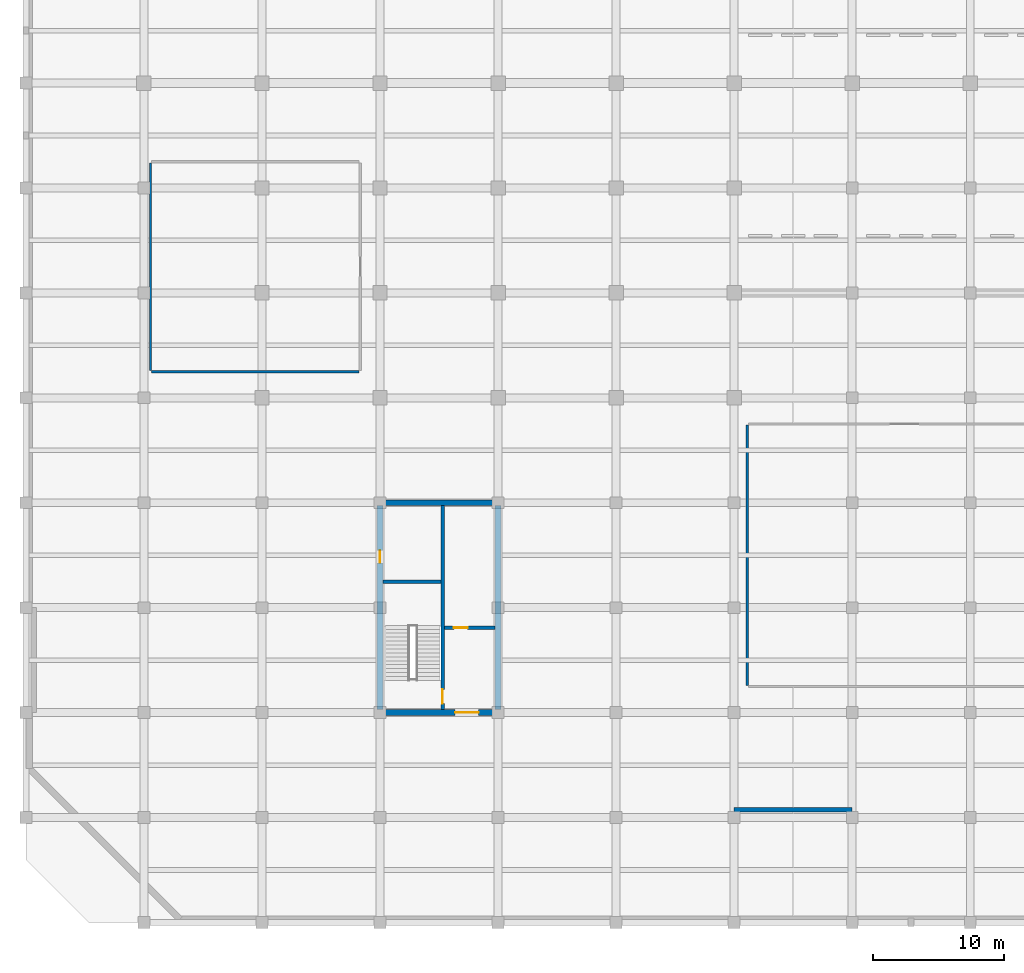
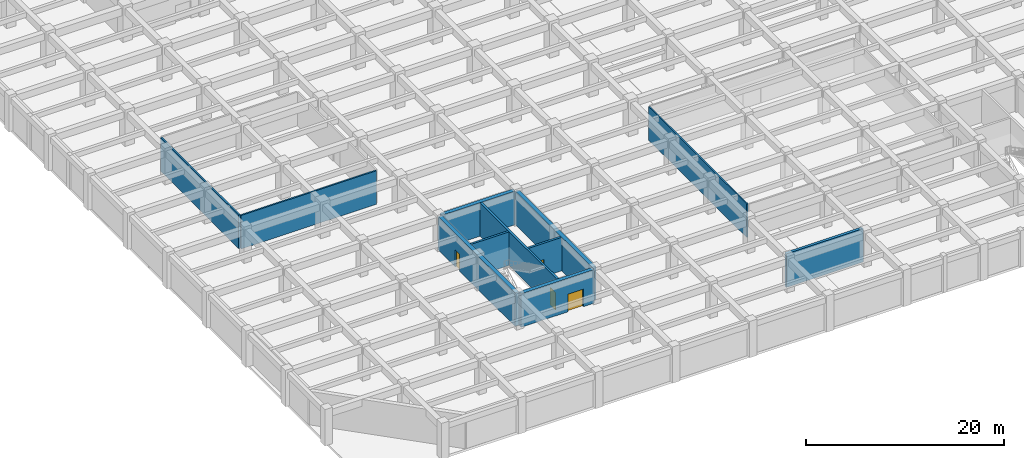
# One storey, part 9 of 26: 11 walls, 4 doors, 4 openings.
"""IFC4 building model written with IfcOpenShell, lengths in metres."""

from ifc_helpers import new_model, si_unit, direction, frame, frame_2d, origin, place, context, subcontext, project, spatial, rectangle, extrude, material, layer, layer_set, type_object, element, fill, save


model = new_model("IFC4")

# Units and contexts
model_context = context("Model", 3, precision=1e-05, world=origin(), true_north=direction((0.0, 1.0)))
body_context = subcontext(model_context, "Body", "Model", "MODEL_VIEW")
ifc_project = project(units=[si_unit("LENGTHUNIT", "METRE"), si_unit("AREAUNIT", "SQUARE_METRE"), si_unit("VOLUMEUNIT", "CUBIC_METRE"), si_unit("PLANEANGLEUNIT", "RADIAN"), si_unit("MASSUNIT", "GRAM", prefix="KILO")], contexts=[model_context])

# Site, building, storey
site_placement = place(None, origin())
site = spatial("IfcSite", under=ifc_project, at=site_placement, CompositionType="ELEMENT")
building_placement = place(site_placement, origin())
building = spatial("IfcBuilding", under=site, at=building_placement, Name="Zaverband Oceanarium and Marine Research Institute", CompositionType="ELEMENT")
storey_placement = place(building_placement, frame((0.0, 0.0, -4.5)))
storey = spatial("IfcBuildingStorey", under=building, at=storey_placement, Name="B1", CompositionType="ELEMENT", Elevation=-4.5)

# Wall, opening, door
ifc_material_1 = material(Name="Concrete C50/60", Category="concrete")
ifc_layer_1 = layer(ifc_material_1, 0.449951171875, Name="Concrete C50/60")
ifc_layer_set_1 = layer_set([ifc_layer_1], Name="Concrete C50/60")
wall_type_1 = type_object("IfcWallType", Name="CW-02", PredefinedType="SHEAR", material=ifc_layer_set_1)
wall_1_placement = place(storey_placement, frame((27.22509765625, 16.0, 0.0), z_axis=(0.0, 0.0, 1.0), x_axis=(1.0, 0.0, 0.0)))
wall_1 = element("IfcWall", 1, at=wall_1_placement, inside=storey, type_object=wall_type_1, Name="Structural shear wall CW-02", PredefinedType="SHEAR", context=body_context, shape_type="SweptSolid", body=[
    extrude(rectangle(XDim=8.5498046875, YDim=0.449951171875, at=frame_2d((4.27490234375, 0.0))), origin(), (0.0, 0.0, 1.0), 4.14990234375),
])
opening_1_placement = place(wall_1_placement, frame((5.5, 0.0, 0.0)))
opening_1 = element("IfcOpeningElement", 2, at=opening_1_placement, cuts=wall_1, Name="Opening FD-02", PredefinedType="OPENING", context=body_context, shape_type="SweptSolid", body=[
    extrude(rectangle(XDim=1.800048828125, YDim=2.179931640625, at=frame_2d((0.89990234375, 1.08984375))), frame((0.0, 0.23681640625, 0.0), z_axis=(0.0, -1.0, 0.0), x_axis=(1.0, 0.0, 0.0)), (0.0, 0.0, 1.0), 0.473876953125),
])
ifc_material_2 = material(Name="Steel S355", Category="steel")
door_type_1 = type_object("IfcDoorType", Name="FD-02", OperationType="DOUBLE_DOOR_SINGLE_SWING", PredefinedType="DOOR", material=ifc_material_2)
door_1_placement = place(opening_1_placement, origin())
door_1 = element("IfcDoor", 3, at=door_1_placement, inside=storey, type_object=door_type_1, Name="Protected lobby double fire door FD-02", OperationType="DOUBLE_DOOR_SINGLE_SWING", OverallHeight=2.179931640625, OverallWidth=1.800048828125, PredefinedType="DOOR", context=body_context, shape_type="SweptSolid", body=[
    extrude(rectangle(XDim=1.800048828125, YDim=2.179931640625, at=frame_2d((0.89990234375, 1.08984375))), frame((0.0, 0.02490234375, 0.0), z_axis=(0.0, -1.0, 0.0), x_axis=(1.0, 0.0, 0.0)), (0.0, 0.0, 1.0), 0.050048828125),
])
fill(opening_1, door_1)

# Wall
wall_2_placement = place(storey_placement, frame((27.22509765625, 32.0, 0.0), z_axis=(0.0, 0.0, 1.0), x_axis=(1.0, 0.0, 0.0)))
element("IfcWall", 4, at=wall_2_placement, inside=storey, type_object=wall_type_1, Name="Structural shear wall CW-02", PredefinedType="SHEAR", context=body_context, shape_type="SweptSolid", body=[
    extrude(rectangle(XDim=8.5498046875, YDim=0.449951171875, at=frame_2d((4.27490234375, 0.0))), origin(), (0.0, 0.0, 1.0), 4.14990234375),
])

# Wall, opening, door
wall_3_placement = place(storey_placement, frame((27.0, 16.22509765625, 0.0), z_axis=(0.0, 0.0, 1.0), x_axis=(0.0, 1.0, 0.0)))
wall_3 = element("IfcWall", 5, at=wall_3_placement, inside=storey, type_object=wall_type_1, Name="Structural shear wall CW-02", PredefinedType="SHEAR", context=body_context, shape_type="SweptSolid", body=[
    extrude(rectangle(XDim=15.5498046875, YDim=0.449951171875, at=frame_2d((7.77490234375, 0.0))), origin(), (0.0, 0.0, 1.0), 4.14990234375),
])
opening_2_placement = place(wall_3_placement, frame((11.199951171875, 0.0, 0.0)))
opening_2 = element("IfcOpeningElement", 6, at=opening_2_placement, cuts=wall_3, Name="Opening FD-03", PredefinedType="OPENING", context=body_context, shape_type="SweptSolid", body=[
    extrude(rectangle(XDim=0.949951171875, YDim=2.10009765625, at=frame_2d((0.47509765625, 1.050048828125))), frame((0.0, 0.23681640625, 0.0), z_axis=(0.0, -1.0, 0.0), x_axis=(1.0, 0.0, 0.0)), (0.0, 0.0, 1.0), 0.473876953125),
])
door_type_2 = type_object("IfcDoorType", Name="FD-03", OperationType="NOTDEFINED", PredefinedType="DOOR", material=ifc_material_2)
door_2_placement = place(opening_2_placement, origin())
door_2 = element("IfcDoor", 7, at=door_2_placement, inside=storey, type_object=door_type_2, Name="Service riser access fire door FD-03", OperationType="SINGLE_SWING_RIGHT", OverallHeight=2.10009765625, OverallWidth=0.949951171875, PredefinedType="DOOR", context=body_context, shape_type="SweptSolid", body=[
    extrude(rectangle(XDim=0.949951171875, YDim=2.10009765625, at=frame_2d((0.47509765625, 1.050048828125))), frame((0.0, 0.02490234375, 0.0), z_axis=(0.0, -1.0, 0.0), x_axis=(1.0, 0.0, 0.0)), (0.0, 0.0, 1.0), 0.050048828125),
])
fill(opening_2, door_2)

# Walls
wall_4_placement = place(storey_placement, frame((36.0, 16.22509765625, 0.0), z_axis=(0.0, 0.0, 1.0), x_axis=(0.0, 1.0, 0.0)))
element("IfcWall", 8, at=wall_4_placement, inside=storey, type_object=wall_type_1, Name="Structural shear wall CW-02", PredefinedType="SHEAR", context=body_context, shape_type="SweptSolid", body=[
    extrude(rectangle(XDim=15.5498046875, YDim=0.449951171875, at=frame_2d((7.77490234375, 0.0))), origin(), (0.0, 0.0, 1.0), 4.14990234375),
])
ifc_material_3 = material(Name="Corridor rated drywall partition")
ifc_layer_2 = layer(ifc_material_3, 0.1650390625, Name="Corridor rated drywall partition")
ifc_layer_set_2 = layer_set([ifc_layer_2], Name="Corridor rated drywall partition")
wall_type_2 = type_object("IfcWallType", Name="PT-165-CR", PredefinedType="PARTITIONING", material=ifc_layer_set_2)
wall_5_placement = place(storey_placement, frame((55.0, 18.08251953125, 0.0), z_axis=(0.0, 0.0, 1.0), x_axis=(0.0, 1.0, 0.0)))
element("IfcWall", 9, at=wall_5_placement, inside=storey, type_object=wall_type_2, Name="Internal partition PT-165-CR", PredefinedType="PARTITIONING", context=body_context, shape_type="SweptSolid", body=[
    extrude(rectangle(XDim=19.8349609375, YDim=0.1650390625, at=frame_2d((9.91748046875, 0.0))), origin(), (0.0, 0.0, 1.0), 4.14990234375),
])
ifc_material_4 = material(Name="Moisture-resistant laboratory blockwork", Category="masonry")
ifc_layer_3 = layer(ifc_material_4, 0.179931640625, Name="Moisture-resistant laboratory blockwork")
ifc_layer_set_3 = layer_set([ifc_layer_3], Name="Moisture-resistant laboratory blockwork")
wall_type_3 = type_object("IfcWallType", Name="PT-180-LB", PredefinedType="PARTITIONING", material=ifc_layer_set_3)
for number, where, z_axis, x_axis, name in (
    (10, (9.590087890625, 42.0, 0.0), (0.0, 0.0, 1.0), (1.0, 0.0, 0.0), "Internal partition PT-180-LB"),
    (11, (9.5, 42.090087890625, 0.0), (0.0, 0.0, 1.0), (0.0, 1.0, 0.0), "Internal partition PT-180-LB"),
):
    element("IfcWall", number, at=place(storey_placement, frame(where, z_axis=z_axis, x_axis=x_axis)), inside=storey, type_object=wall_type_3, Name=name, PredefinedType="PARTITIONING", context=body_context, shape_type="SweptSolid", body=[
        extrude(rectangle(XDim=15.81982421875, YDim=0.179931640625, at=frame_2d((7.909912109375, 0.0))), origin(), (0.0, 0.0, 1.0), 4.14990234375),
    ])

# Wall, opening, door
ifc_layer_4 = layer(ifc_material_1, 0.25, Name="Concrete C50/60")
ifc_layer_set_4 = layer_set([ifc_layer_4], Name="Concrete C50/60")
wall_type_4 = type_object("IfcWallType", Name="PW-CORE-250", PredefinedType="SOLIDWALL", material=ifc_layer_set_4)
wall_6_placement = place(storey_placement, frame((31.77490234375, 16.22509765625, 0.0), z_axis=(0.0, 0.0, 1.0), x_axis=(0.0, 1.0, 0.0)))
wall_6 = element("IfcWall", 12, at=wall_6_placement, inside=storey, type_object=wall_type_4, Name="Structural concrete wall PW-CORE-250", PredefinedType="SOLIDWALL", context=body_context, shape_type="SweptSolid", body=[
    extrude(rectangle(XDim=15.5498046875, YDim=0.25, at=frame_2d((7.77490234375, 0.0))), origin(), (0.0, 0.0, 1.0), 4.14990234375),
])
opening_3_placement = place(wall_6_placement, frame((0.449951171875, 0.0, 0.0)))
opening_3 = element("IfcOpeningElement", 13, at=opening_3_placement, cuts=wall_6, Name="Opening FD-01", PredefinedType="OPENING", context=body_context, shape_type="SweptSolid", body=[
    extrude(rectangle(XDim=1.10009765625, YDim=2.14990234375, at=frame_2d((0.550048828125, 1.074951171875))), frame((0.0, 0.136962890625, 0.0), z_axis=(0.0, -1.0, 0.0), x_axis=(1.0, 0.0, 0.0)), (0.0, 0.0, 1.0), 0.27392578125),
])
door_type_3 = type_object("IfcDoorType", Name="FD-01", OperationType="NOTDEFINED", PredefinedType="DOOR", material=ifc_material_2)
door_3_placement = place(opening_3_placement, origin())
door_3 = element("IfcDoor", 14, at=door_3_placement, inside=storey, type_object=door_type_3, Name="Core stair / lobby fire door FD-01", OperationType="SINGLE_SWING_RIGHT", OverallHeight=2.14990234375, OverallWidth=1.10009765625, PredefinedType="DOOR", context=body_context, shape_type="SweptSolid", body=[
    extrude(rectangle(XDim=1.10009765625, YDim=2.14990234375, at=frame_2d((0.550048828125, 1.074951171875))), frame((0.0, 0.02490234375, 0.0), z_axis=(0.0, -1.0, 0.0), x_axis=(1.0, 0.0, 0.0)), (0.0, 0.0, 1.0), 0.050048828125),
])
fill(opening_3, door_3)

# Wall
wall_7_placement = place(storey_placement, frame((27.22509765625, 25.97509765625, 0.0), z_axis=(0.0, 0.0, 1.0), x_axis=(1.0, 0.0, 0.0)))
element("IfcWall", 15, at=wall_7_placement, inside=storey, type_object=wall_type_4, Name="Structural concrete wall PW-CORE-250", PredefinedType="SOLIDWALL", context=body_context, shape_type="SweptSolid", body=[
    extrude(rectangle(XDim=4.419921875, YDim=0.25, at=frame_2d((2.2099609375, 0.0))), origin(), (0.0, 0.0, 1.0), 4.14990234375),
])

# Wall, opening, door
wall_8_placement = place(storey_placement, frame((31.905029296875, 22.47509765625, 0.0), z_axis=(0.0, 0.0, 1.0), x_axis=(1.0, 0.0, 0.0)))
wall_8 = element("IfcWall", 16, at=wall_8_placement, inside=storey, type_object=wall_type_4, Name="Structural concrete wall PW-CORE-250", PredefinedType="SOLIDWALL", context=body_context, shape_type="SweptSolid", body=[
    extrude(rectangle(XDim=3.869873046875, YDim=0.25, at=frame_2d((1.93505859375, 0.0))), origin(), (0.0, 0.0, 1.0), 4.14990234375),
])
opening_4_placement = place(wall_8_placement, frame((0.719970703125, 0.0, 0.0)))
opening_4 = element("IfcOpeningElement", 17, at=opening_4_placement, cuts=wall_8, Name="Opening LD-02", PredefinedType="OPENING", context=body_context, shape_type="SweptSolid", body=[
    extrude(rectangle(XDim=1.050048828125, YDim=2.1201171875, at=frame_2d((0.52490234375, 1.06005859375))), frame((0.0, 0.136962890625, 0.0), z_axis=(0.0, -1.0, 0.0), x_axis=(1.0, 0.0, 0.0)), (0.0, 0.0, 1.0), 0.27392578125),
])
door_type_4 = type_object("IfcDoorType", Name="LD-02", OperationType="DOUBLE_DOOR_SLIDING", PredefinedType="DOOR", material=ifc_material_2)
door_4_placement = place(opening_4_placement, origin())
door_4 = element("IfcDoor", 18, at=door_4_placement, inside=storey, type_object=door_type_4, Name="Passenger lift sliding landing door LD-02", OperationType="DOUBLE_DOOR_SLIDING", OverallHeight=2.1201171875, OverallWidth=1.050048828125, PredefinedType="DOOR", context=body_context, shape_type="SweptSolid", body=[
    extrude(rectangle(XDim=1.050048828125, YDim=2.1201171875, at=frame_2d((0.52490234375, 1.06005859375))), frame((0.0, 0.02490234375, 0.0), z_axis=(0.0, -1.0, 0.0), x_axis=(1.0, 0.0, 0.0)), (0.0, 0.0, 1.0), 0.050048828125),
])
fill(opening_4, door_4)

# Wall
ifc_material_5 = material(Name="Concrete C40/50", Category="concrete")
ifc_layer_5 = layer(ifc_material_5, 0.320068359375, Name="Concrete C40/50")
ifc_layer_set_5 = layer_set([ifc_layer_5], Name="Concrete C40/50")
wall_type_5 = type_object("IfcWallType", Name="SCW-02", PredefinedType="SOLIDWALL", material=ifc_layer_set_5)
wall_9_placement = place(storey_placement, frame((54.0, 8.60009765625, 0.0), z_axis=(0.0, 0.0, 1.0), x_axis=(1.0, 0.0, 0.0)))
element("IfcWall", 19, at=wall_9_placement, inside=storey, type_object=wall_type_5, Name="Structural concrete wall SCW-02", PredefinedType="SOLIDWALL", context=body_context, shape_type="SweptSolid", body=[
    extrude(rectangle(XDim=9.0, YDim=0.320068359375, at=frame_2d((4.5, 0.0))), origin(), (0.0, 0.0, 1.0), 4.14990234375),
])

save(model, "model.ifc")
